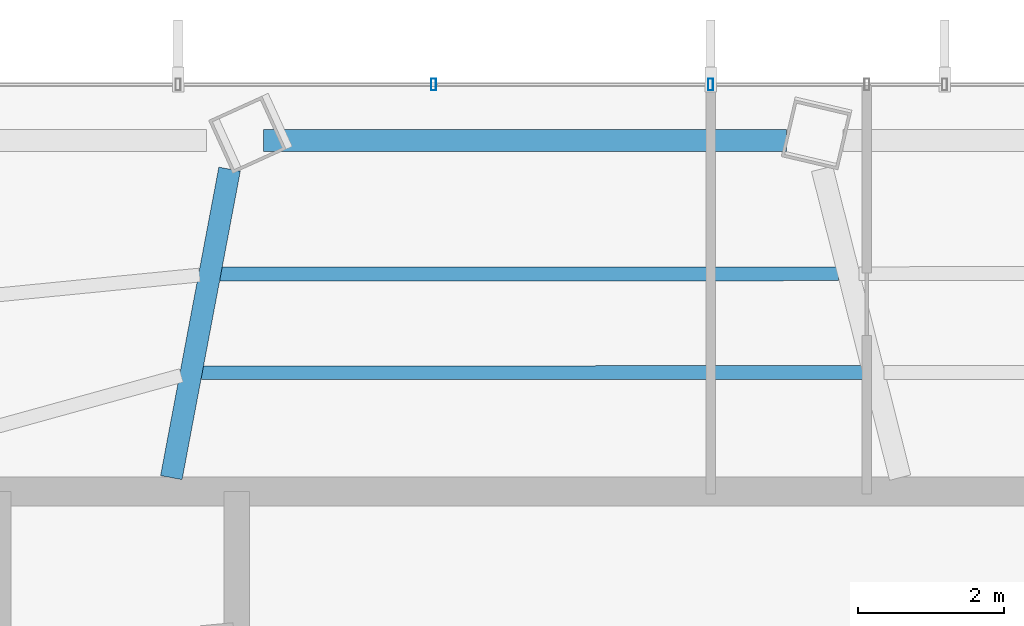
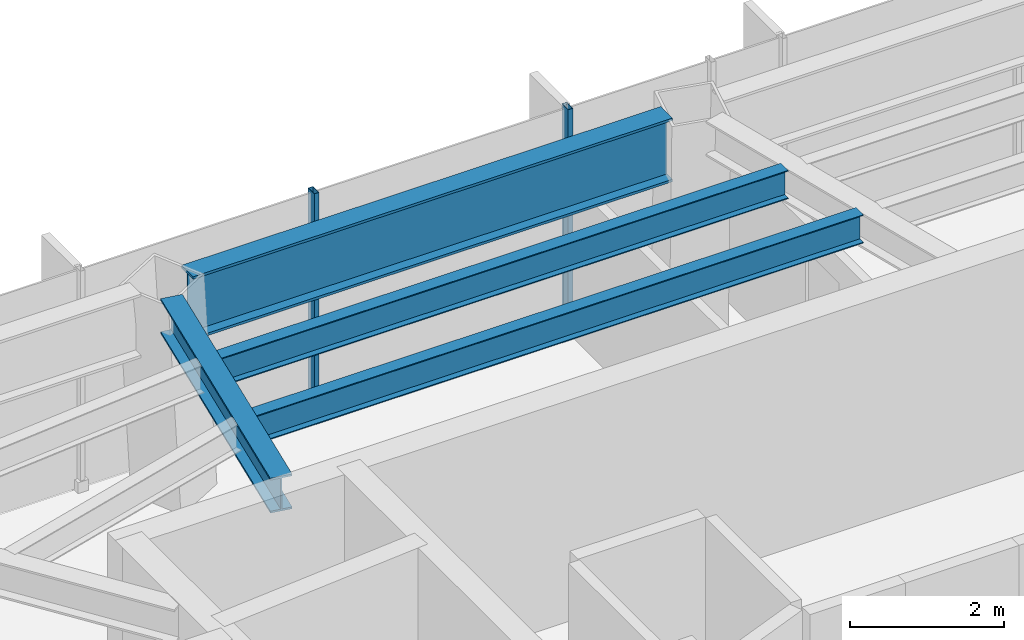
# One storey, part 14 of 28: 4 beams, 2 members, 1 element without a shape of its own.
"""IFC4 building model written with IfcOpenShell, lengths in metres."""

import ifcopenshell
import ifcopenshell.guid

model = None  # the IFC model being written
_history = None  # IfcOwnerHistory: only IFC2X3 demands one
_inside = {}  # id of a spatial element -> (the spatial element, [elements in it])
_under = {}  # id of a project, library or spatial element -> (it, [spatial elements below it])
_declared = {}  # id of a project -> (the project, [libraries it declares])
_typed = {}  # id of a type object -> (the type object, [elements of that type])
_made_of = {}  # id of a material, layer set ... -> (it, [elements and type objects made of it])


def new_model(schema):
    """Start an empty IFC model of exactly this schema.

    Asked for "IFC4X3", IfcOpenShell would pick the latest addendum, in which some entities
    have other attributes; the version numbers below select the first issue.
    IFC2X3 requires an IfcOwnerHistory on every rooted entity: one is made here for all.
    """
    global model, _history
    if schema == "IFC4X3":
        model = ifcopenshell.file(schema_version=(4, 3, 0, 0))
    else:
        model = ifcopenshell.file(schema=schema)
    _inside.clear()
    _under.clear()
    _declared.clear()
    _typed.clear()
    _made_of.clear()
    _history = None
    if model.schema == "IFC2X3":
        org = make("IfcOrganization", Name="unknown")
        user = make(
            "IfcPersonAndOrganization",
            ThePerson=make("IfcPerson", FamilyName="unknown"),
            TheOrganization=org,
        )
        app = make(
            "IfcApplication",
            ApplicationDeveloper=org,
            Version="unknown",
            ApplicationFullName="unknown",
            ApplicationIdentifier="unknown",
        )
        _history = make(
            "IfcOwnerHistory",
            OwningUser=user,
            OwningApplication=app,
            ChangeAction="ADDED",
            CreationDate=0,
        )
    return model


def make(cls, **values):
    """One entity of the class cls with the attributes given. An attribute that is None is left unset."""
    return model.create_entity(
        cls, **{name: value for name, value in values.items() if value is not None}
    )


def rooted(cls, **values):
    """An entity with a GlobalId (a new one), such as an element, a storey or a relation."""
    return make(cls, GlobalId=ifcopenshell.guid.new(), OwnerHistory=_history, **values)


def si_unit(unit_type, name, prefix=None):
    """IfcSIUnit, for example si_unit("LENGTHUNIT", "METRE", prefix="MILLI")."""
    return make("IfcSIUnit", UnitType=unit_type, Prefix=prefix, Name=name)


def assignment(units):
    """IfcUnitAssignment: the units of a project."""
    return None if units is None else make("IfcUnitAssignment", Units=units)


def point(xyz):
    """IfcCartesianPoint."""
    return None if xyz is None else make("IfcCartesianPoint", Coordinates=xyz)


def direction(xyz):
    """IfcDirection."""
    return None if xyz is None else make("IfcDirection", DirectionRatios=xyz)


def frame(location, z_axis=None, x_axis=None):
    """IfcAxis2Placement3D, a coordinate frame: its origin and axes. An axis left out is left unset."""
    return make(
        "IfcAxis2Placement3D",
        Location=point(location),
        Axis=direction(z_axis),
        RefDirection=direction(x_axis),
    )


def frame_2d(location, x_axis=None):
    """IfcAxis2Placement2D, a coordinate frame in the plane: its origin and x axis."""
    return make(
        "IfcAxis2Placement2D", Location=point(location), RefDirection=direction(x_axis)
    )


def origin():
    """The frame at (0, 0, 0) with its axes left unset."""
    return frame((0.0, 0.0, 0.0))


def origin_2d():
    """The frame at (0, 0) in the plane with its x axis left unset."""
    return frame_2d((0.0, 0.0))


def place(relative_to, where):
    """IfcLocalPlacement: puts the frame where relative to a parent placement (None: the world)."""
    return make(
        "IfcLocalPlacement", PlacementRelTo=relative_to, RelativePlacement=where
    )


def context(
    kind, dimensions, precision=None, world=None, true_north=None, identifier=None
):
    """IfcGeometricRepresentationContext, for example the 3D "Model" context."""
    return make(
        "IfcGeometricRepresentationContext",
        ContextIdentifier=identifier,
        ContextType=kind,
        CoordinateSpaceDimension=dimensions,
        Precision=precision,
        WorldCoordinateSystem=world,
        TrueNorth=true_north,
    )


def subcontext(parent, identifier, kind, view, scale=None):
    """IfcGeometricRepresentationSubContext, for example "Body" below "Model"."""
    return make(
        "IfcGeometricRepresentationSubContext",
        ContextIdentifier=identifier,
        ContextType=kind,
        ParentContext=parent,
        TargetScale=scale,
        TargetView=view,
    )


def project(units=None, contexts=None):
    """IfcProject with its units and contexts."""
    return rooted(
        "IfcProject",
        Name="project",
        RepresentationContexts=contexts,
        UnitsInContext=assignment(units),
    )


def spatial(cls, under=None, at=None, **own):
    """A site, building, storey or space (cls), placed at a placement, below another one or the project."""
    s = rooted(cls, ObjectPlacement=at, **own)
    if under is not None:
        _under.setdefault(under.id(), (under, []))[1].append(s)
    return s


def profile(cls, at=None, kind="AREA", **sizes):
    """A parametric profile (cls). Its sizes go by their IFC names, for example OverallWidth=200.0."""
    return make(cls, ProfileType=kind, Position=at, **sizes)


def hollow_rectangle(**sizes):
    """IfcRectangleHollowProfileDef."""
    return profile("IfcRectangleHollowProfileDef", **sizes)


def i_section(**sizes):
    """IfcIShapeProfileDef."""
    return profile("IfcIShapeProfileDef", **sizes)


def extrude(swept, where, along, depth):
    """IfcExtrudedAreaSolid: the profile swept, set in the frame where, extruded along a direction by depth."""
    return make(
        "IfcExtrudedAreaSolid",
        SweptArea=swept,
        Position=where,
        ExtrudedDirection=direction(along),
        Depth=depth,
    )


def shape(context_of_items, identifier, shape_type, items):
    """IfcShapeRepresentation: the items that make up one representation, for example the "Body"."""
    return make(
        "IfcShapeRepresentation",
        ContextOfItems=context_of_items,
        RepresentationIdentifier=identifier,
        RepresentationType=shape_type,
        Items=items,
    )


def material(Name=None, Category=None):
    """IfcMaterial."""
    return make("IfcMaterial", Name=Name, Category=Category)


def layer(
    of_material, thickness, ventilated=None, Name=None, Category=None, Priority=None
):
    """IfcMaterialLayer: one layer of a wall or slab, of a material (None: an air gap)."""
    return make(
        "IfcMaterialLayer",
        Material=of_material,
        LayerThickness=thickness,
        IsVentilated=ventilated,
        Name=Name,
        Category=Category,
        Priority=Priority,
    )


def layer_set(layers, Name=None):
    """IfcMaterialLayerSet."""
    return make("IfcMaterialLayerSet", MaterialLayers=layers, LayerSetName=Name)


def material_profile(
    of_material, cross_section, Name=None, Category=None, Priority=None
):
    """IfcMaterialProfile: a cross section and its material."""
    return make(
        "IfcMaterialProfile",
        Name=Name,
        Material=of_material,
        Profile=cross_section,
        Priority=Priority,
        Category=Category,
    )


def profile_set(profiles, Name=None, composite=None):
    """IfcMaterialProfileSet."""
    return make(
        "IfcMaterialProfileSet",
        Name=Name,
        MaterialProfiles=profiles,
        CompositeProfile=composite,
    )


def made_of(thing, what):
    """Note that an element or type object is made of a material, layer set ...; save() writes the relation."""
    if what is not None:
        _made_of.setdefault(what.id(), (what, []))[1].append(thing)
    return thing


def type_object(cls, material=None, **own):
    """A type object (cls), such as IfcWallType, which elements share."""
    return made_of(rooted(cls, **own), material)


def element(
    cls,
    number,
    at=None,
    inside=None,
    cuts=None,
    type_object=None,
    material=None,
    context=None,
    identifier="Body",
    shape_type=None,
    held_by="IfcProductDefinitionShape",
    body=None,
    shapes=None,
    **own,
):
    """One element of the class cls, such as IfcWall. Its Tag is "e" and its number.

    at: its placement. inside: the storey or other place that contains it. cuts: it is an
    opening in that element (IfcRelVoidsElement). A single representation is given by context,
    identifier, shape_type and body (its items); several are given by shapes. held_by: the class
    of the entity that holds the representations. save() writes the other relations.
    """
    e = rooted(cls, Tag="e%d" % number, ObjectPlacement=at, **own)
    if body is not None:
        shapes = [shape(context, identifier, shape_type, body)]
    if shapes is not None:
        e.Representation = make(held_by, Representations=shapes)
    if inside is not None:
        _inside.setdefault(inside.id(), (inside, []))[1].append(e)
    if cuts is not None:
        rooted(
            "IfcRelVoidsElement", RelatingBuildingElement=cuts, RelatedOpeningElement=e
        )
    if type_object is not None:
        _typed.setdefault(type_object.id(), (type_object, []))[1].append(e)
    return made_of(e, material)


def aggregate(whole, parts):
    """IfcRelAggregates: a whole, such as a stair, and the parts it consists of."""
    return rooted("IfcRelAggregates", RelatingObject=whole, RelatedObjects=parts)


def save(model, path):
    """Write the relations noted so far, then the file.

    IfcRelAggregates (storeys below a building ...), IfcRelContainedInSpatialStructure (elements
    in a storey), IfcRelDefinesByType, IfcRelAssociatesMaterial and IfcRelDeclares: one each for
    every whole, place, type object, material and project.
    """
    for whole, parts in _under.values():
        aggregate(whole, parts)
    for where, things in _inside.values():
        rooted(
            "IfcRelContainedInSpatialStructure",
            RelatedElements=things,
            RelatingStructure=where,
        )
    for kind, things in _typed.values():
        rooted("IfcRelDefinesByType", RelatedObjects=things, RelatingType=kind)
    for what, things in _made_of.values():
        rooted("IfcRelAssociatesMaterial", RelatedObjects=things, RelatingMaterial=what)
    for by, libraries in _declared.values():
        rooted("IfcRelDeclares", RelatingContext=by, RelatedDefinitions=libraries)
    model.write(path)


model = new_model("IFC4")

# Units and contexts
model_context = context("Model", 3, precision=1e-05, world=origin(), true_north=direction((0.0, 1.0)))
body_context = subcontext(model_context, "Body", "Model", "MODEL_VIEW")
ifc_project = project(units=[si_unit("LENGTHUNIT", "METRE"), si_unit("AREAUNIT", "SQUARE_METRE"), si_unit("VOLUMEUNIT", "CUBIC_METRE"), si_unit("PLANEANGLEUNIT", "RADIAN"), si_unit("MASSUNIT", "GRAM", prefix="KILO")], contexts=[model_context])

# Site, building, storey
site_placement = place(None, origin())
site = spatial("IfcSite", under=ifc_project, at=site_placement, CompositionType="ELEMENT")
building_placement = place(site_placement, origin())
building = spatial("IfcBuilding", under=site, at=building_placement, Name="Zarrinselat Tower", CompositionType="ELEMENT")
storey_placement = place(building_placement, frame((0.0, 0.0, 153.340087890625)))
storey = spatial("IfcBuildingStorey", under=building, at=storey_placement, Name="L37", CompositionType="ELEMENT", Elevation=153.340087890625)

# Beams
ifc_material_1 = material(Name="Steel S355J2", Category="steel")
ifc_material_profile_1 = material_profile(ifc_material_1, i_section(OverallWidth=0.300048828125, OverallDepth=0.550048828125, WebThickness=0.014892578125, FlangeThickness=0.029052734375, at=origin_2d()), Name="HEB 550")
ifc_profile_set_1 = profile_set([ifc_material_profile_1], Name="Steel S355J2")
beam_type_1 = type_object("IfcBeamType", Name="BM-HEB550", PredefinedType="BEAM", material=ifc_profile_set_1)
beam_1_placement = place(storey_placement, frame((31.0, 43.639892578125, 3.21484375), z_axis=(0.185606166559, 0.982624216542, 0.0), x_axis=(-0.982624216542, 0.185606166559, 0.0)))
element("IfcBeam", 1, at=beam_1_placement, inside=storey, type_object=beam_type_1, Name="L37 Radial Primary Girder RG04", PredefinedType="BEAM", context=body_context, shape_type="SweptSolid", body=[
    extrude(i_section(OverallWidth=0.300048828125, OverallDepth=0.550048828125, WebThickness=0.014892578125, FlangeThickness=0.029052734375, at=origin_2d()), origin(), (0.0, 0.0, 1.0), 4.306640625),
])
ifc_material_2 = material(Name="Steel S460M", Category="steel")
ifc_material_profile_2 = material_profile(ifc_material_2, i_section(OverallWidth=0.302001953125, OverallDepth=1.008056640625, WebThickness=0.02099609375, FlangeThickness=0.0400390625, at=origin_2d()), Name="HEM 1000")
ifc_profile_set_2 = profile_set([ifc_material_profile_2], Name="Steel S460M")
beam_type_2 = type_object("IfcBeamType", Name="BM-HEM1000", PredefinedType="BEAM", material=ifc_profile_set_2)
beam_2_placement = place(storey_placement, frame((32.261962890625, 48.2666015625, 2.98583984375), z_axis=(1.0, 0.0, 0.0), x_axis=(0.0, 1.0, 0.0)))
element("IfcBeam", 2, at=beam_2_placement, inside=storey, type_object=beam_type_2, Name="L37 Perimeter Spandrel Girder SP03", PredefinedType="BEAM", context=body_context, shape_type="SweptSolid", body=[
    extrude(i_section(OverallWidth=0.302001953125, OverallDepth=1.008056640625, WebThickness=0.02099609375, FlangeThickness=0.0400390625, at=origin_2d()), origin(), (0.0, 0.0, 1.0), 7.18017578125),
])
ifc_material_3 = material(Name="Steel S355J2", Category="steel")
ifc_material_profile_3 = material_profile(ifc_material_3, i_section(OverallWidth=0.18994140625, OverallDepth=0.449951171875, WebThickness=0.009521484375, FlangeThickness=0.0146484375, at=origin_2d()), Name="IPE 450")
ifc_profile_set_3 = profile_set([ifc_material_profile_3], Name="Steel S355J2")
beam_type_3 = type_object("IfcBeamType", Name="BM-IPE450", PredefinedType="JOIST", material=ifc_profile_set_3)
beam_3_placement = place(storey_placement, frame((31.66748046875, 46.43310546875, 3.264892578125), z_axis=(0.999999930048, 0.000374036111, 0.0), x_axis=(-0.000374036111, 0.999999930048, 0.0)))
element("IfcBeam", 3, at=beam_3_placement, inside=storey, type_object=beam_type_3, Name="L37 Composite Floor Joist 7-1", PredefinedType="JOIST", context=body_context, shape_type="SweptSolid", body=[
    extrude(i_section(OverallWidth=0.18994140625, OverallDepth=0.449951171875, WebThickness=0.009521484375, FlangeThickness=0.0146484375, at=origin_2d()), origin(), (0.0, 0.0, 1.0), 8.4853515625),
])
beam_4_placement = place(storey_placement, frame((31.411865234375, 45.078857421875, 3.264892578125), z_axis=(0.999999982302, 0.000188136638, 0.0), x_axis=(-0.000188136638, 0.999999982302, 0.0)))
element("IfcBeam", 4, at=beam_4_placement, inside=storey, type_object=beam_type_3, Name="L37 Composite Floor Joist 7-2", PredefinedType="JOIST", context=body_context, shape_type="SweptSolid", body=[
    extrude(i_section(OverallWidth=0.18994140625, OverallDepth=0.449951171875, WebThickness=0.009521484375, FlangeThickness=0.0146484375, at=origin_2d()), origin(), (0.0, 0.0, 1.0), 9.083740234375),
])

# Curtain wall, members
ifc_material_4 = material(Name="Extruded Aluminium Alloy EN AW-6063 T6", Category="aluminium")
ifc_layer = layer(ifc_material_4, 0.175048828125)
ifc_layer_set = layer_set([ifc_layer], Name="Extruded Aluminium Alloy EN AW-6063 T6")
curtain_wall_type = type_object("IfcCurtainWallType", Name="CWS-HTL", PredefinedType="NOTDEFINED", material=ifc_layer_set)
curtain_wall_placement = place(storey_placement, origin())
curtain_wall = element("IfcCurtainWall", 5, at=curtain_wall_placement, inside=storey, type_object=curtain_wall_type, Name="L37 Unitised Curtain Wall CW-L37-E01", PredefinedType="NOTDEFINED")
ifc_material_5 = material(Name="Extruded Aluminium Alloy EN AW-6063 T6", Category="aluminium")
ifc_material_profile_4 = material_profile(ifc_material_5, hollow_rectangle(XDim=0.070068359375, YDim=0.159912109375, WallThickness=0.00390625, at=origin_2d()), Name="RHS 160x70x4")
ifc_profile_set_4 = profile_set([ifc_material_profile_4], Name="Extruded Aluminium Alloy EN AW-6063 T6")
member_type = type_object("IfcMemberType", Name="MEM-CW-MUL2", PredefinedType="MULLION", material=ifc_profile_set_4)
member_1_placement = place(storey_placement, frame((38.39990234375, 49.033203125, 0.0), z_axis=(0.0, 0.0, 1.0), x_axis=(-1.0, 0.0, 0.0)))
member_1 = element("IfcMember", 6, at=member_1_placement, type_object=member_type, Name="CW-L37-E01 Mullion 7", PredefinedType="MULLION", context=body_context, shape_type="SweptSolid", body=[
    extrude(hollow_rectangle(XDim=0.070068359375, YDim=0.159912109375, WallThickness=0.00390625, at=origin_2d()), origin(), (0.0, 0.0, 1.0), 3.489990234375),
])
member_2_placement = place(storey_placement, frame((34.598876953125, 49.033203125, 0.0), z_axis=(0.0, 0.0, 1.0), x_axis=(-1.0, 0.0, 0.0)))
member_2 = element("IfcMember", 7, at=member_2_placement, type_object=member_type, Name="CW-L37-E01 Mullion 8", PredefinedType="MULLION", context=body_context, shape_type="SweptSolid", body=[
    extrude(hollow_rectangle(XDim=0.070068359375, YDim=0.159912109375, WallThickness=0.00390625, at=origin_2d()), origin(), (0.0, 0.0, 1.0), 3.489990234375),
])
aggregate(curtain_wall, [member_1, member_2])

save(model, "model.ifc")
